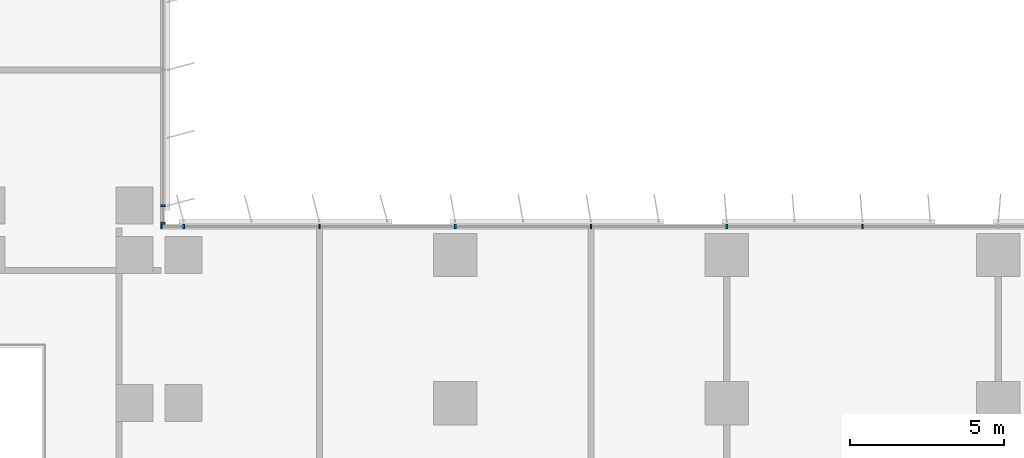
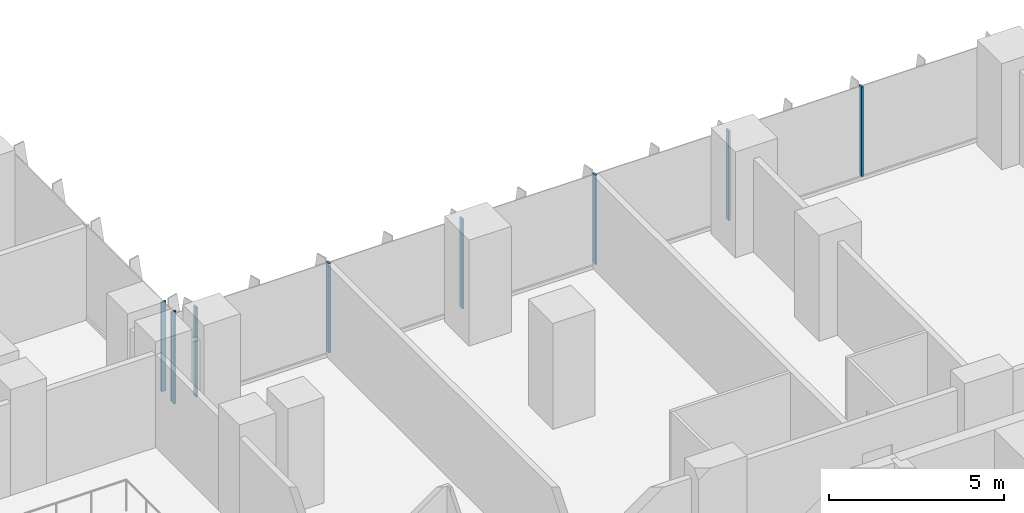
# One storey, part 2 of 24: 9 members, 2 elements without a shape of their own.
"""IFC4 building model written with IfcOpenShell, lengths in metres."""

import ifcopenshell
import ifcopenshell.guid

model = None  # the IFC model being written
_history = None  # IfcOwnerHistory: only IFC2X3 demands one
_inside = {}  # id of a spatial element -> (the spatial element, [elements in it])
_under = {}  # id of a project, library or spatial element -> (it, [spatial elements below it])
_declared = {}  # id of a project -> (the project, [libraries it declares])
_typed = {}  # id of a type object -> (the type object, [elements of that type])
_made_of = {}  # id of a material, layer set ... -> (it, [elements and type objects made of it])


def new_model(schema):
    """Start an empty IFC model of exactly this schema.

    Asked for "IFC4X3", IfcOpenShell would pick the latest addendum, in which some entities
    have other attributes; the version numbers below select the first issue.
    IFC2X3 requires an IfcOwnerHistory on every rooted entity: one is made here for all.
    """
    global model, _history
    if schema == "IFC4X3":
        model = ifcopenshell.file(schema_version=(4, 3, 0, 0))
    else:
        model = ifcopenshell.file(schema=schema)
    _inside.clear()
    _under.clear()
    _declared.clear()
    _typed.clear()
    _made_of.clear()
    _history = None
    if model.schema == "IFC2X3":
        org = make("IfcOrganization", Name="unknown")
        user = make(
            "IfcPersonAndOrganization",
            ThePerson=make("IfcPerson", FamilyName="unknown"),
            TheOrganization=org,
        )
        app = make(
            "IfcApplication",
            ApplicationDeveloper=org,
            Version="unknown",
            ApplicationFullName="unknown",
            ApplicationIdentifier="unknown",
        )
        _history = make(
            "IfcOwnerHistory",
            OwningUser=user,
            OwningApplication=app,
            ChangeAction="ADDED",
            CreationDate=0,
        )
    return model


def make(cls, **values):
    """One entity of the class cls with the attributes given. An attribute that is None is left unset."""
    return model.create_entity(
        cls, **{name: value for name, value in values.items() if value is not None}
    )


def rooted(cls, **values):
    """An entity with a GlobalId (a new one), such as an element, a storey or a relation."""
    return make(cls, GlobalId=ifcopenshell.guid.new(), OwnerHistory=_history, **values)


def si_unit(unit_type, name, prefix=None):
    """IfcSIUnit, for example si_unit("LENGTHUNIT", "METRE", prefix="MILLI")."""
    return make("IfcSIUnit", UnitType=unit_type, Prefix=prefix, Name=name)


def assignment(units):
    """IfcUnitAssignment: the units of a project."""
    return None if units is None else make("IfcUnitAssignment", Units=units)


def point(xyz):
    """IfcCartesianPoint."""
    return None if xyz is None else make("IfcCartesianPoint", Coordinates=xyz)


def direction(xyz):
    """IfcDirection."""
    return None if xyz is None else make("IfcDirection", DirectionRatios=xyz)


def frame(location, z_axis=None, x_axis=None):
    """IfcAxis2Placement3D, a coordinate frame: its origin and axes. An axis left out is left unset."""
    return make(
        "IfcAxis2Placement3D",
        Location=point(location),
        Axis=direction(z_axis),
        RefDirection=direction(x_axis),
    )


def frame_2d(location, x_axis=None):
    """IfcAxis2Placement2D, a coordinate frame in the plane: its origin and x axis."""
    return make(
        "IfcAxis2Placement2D", Location=point(location), RefDirection=direction(x_axis)
    )


def origin():
    """The frame at (0, 0, 0) with its axes left unset."""
    return frame((0.0, 0.0, 0.0))


def origin_2d():
    """The frame at (0, 0) in the plane with its x axis left unset."""
    return frame_2d((0.0, 0.0))


def place(relative_to, where):
    """IfcLocalPlacement: puts the frame where relative to a parent placement (None: the world)."""
    return make(
        "IfcLocalPlacement", PlacementRelTo=relative_to, RelativePlacement=where
    )


def context(
    kind, dimensions, precision=None, world=None, true_north=None, identifier=None
):
    """IfcGeometricRepresentationContext, for example the 3D "Model" context."""
    return make(
        "IfcGeometricRepresentationContext",
        ContextIdentifier=identifier,
        ContextType=kind,
        CoordinateSpaceDimension=dimensions,
        Precision=precision,
        WorldCoordinateSystem=world,
        TrueNorth=true_north,
    )


def subcontext(parent, identifier, kind, view, scale=None):
    """IfcGeometricRepresentationSubContext, for example "Body" below "Model"."""
    return make(
        "IfcGeometricRepresentationSubContext",
        ContextIdentifier=identifier,
        ContextType=kind,
        ParentContext=parent,
        TargetScale=scale,
        TargetView=view,
    )


def project(units=None, contexts=None):
    """IfcProject with its units and contexts."""
    return rooted(
        "IfcProject",
        Name="project",
        RepresentationContexts=contexts,
        UnitsInContext=assignment(units),
    )


def spatial(cls, under=None, at=None, **own):
    """A site, building, storey or space (cls), placed at a placement, below another one or the project."""
    s = rooted(cls, ObjectPlacement=at, **own)
    if under is not None:
        _under.setdefault(under.id(), (under, []))[1].append(s)
    return s


def profile(cls, at=None, kind="AREA", **sizes):
    """A parametric profile (cls). Its sizes go by their IFC names, for example OverallWidth=200.0."""
    return make(cls, ProfileType=kind, Position=at, **sizes)


def rectangle(**sizes):
    """IfcRectangleProfileDef."""
    return profile("IfcRectangleProfileDef", **sizes)


def extrude(swept, where, along, depth):
    """IfcExtrudedAreaSolid: the profile swept, set in the frame where, extruded along a direction by depth."""
    return make(
        "IfcExtrudedAreaSolid",
        SweptArea=swept,
        Position=where,
        ExtrudedDirection=direction(along),
        Depth=depth,
    )


def shape(context_of_items, identifier, shape_type, items):
    """IfcShapeRepresentation: the items that make up one representation, for example the "Body"."""
    return make(
        "IfcShapeRepresentation",
        ContextOfItems=context_of_items,
        RepresentationIdentifier=identifier,
        RepresentationType=shape_type,
        Items=items,
    )


def source(mapping_origin, context_of_items, identifier, shape_type, items):
    """IfcRepresentationMap: a shape defined once, which mapped items show again and again."""
    return make(
        "IfcRepresentationMap",
        MappingOrigin=mapping_origin,
        MappedRepresentation=shape(context_of_items, identifier, shape_type, items),
    )


def transform(
    local_origin,
    x_axis=None,
    y_axis=None,
    z_axis=None,
    scale=None,
    scale2=None,
    scale3=None,
    uniform=True,
):
    """IfcCartesianTransformationOperator3D, or its non-uniform kind. x_axis, y_axis, z_axis: its Axis1, 2, 3."""
    if uniform:
        return make(
            "IfcCartesianTransformationOperator3D",
            Axis1=direction(x_axis),
            Axis2=direction(y_axis),
            LocalOrigin=point(local_origin),
            Scale=scale,
            Axis3=direction(z_axis),
        )
    return make(
        "IfcCartesianTransformationOperator3DnonUniform",
        Axis1=direction(x_axis),
        Axis2=direction(y_axis),
        LocalOrigin=point(local_origin),
        Scale=scale,
        Axis3=direction(z_axis),
        Scale2=scale2,
        Scale3=scale3,
    )


def mapped(mapping_source, mapping_target):
    """IfcMappedItem: shows the shape of a source again, moved by a transform."""
    return make(
        "IfcMappedItem", MappingSource=mapping_source, MappingTarget=mapping_target
    )


def material(Name=None, Category=None):
    """IfcMaterial."""
    return make("IfcMaterial", Name=Name, Category=Category)


def material_profile(
    of_material, cross_section, Name=None, Category=None, Priority=None
):
    """IfcMaterialProfile: a cross section and its material."""
    return make(
        "IfcMaterialProfile",
        Name=Name,
        Material=of_material,
        Profile=cross_section,
        Priority=Priority,
        Category=Category,
    )


def profile_set(profiles, Name=None, composite=None):
    """IfcMaterialProfileSet."""
    return make(
        "IfcMaterialProfileSet",
        Name=Name,
        MaterialProfiles=profiles,
        CompositeProfile=composite,
    )


def made_of(thing, what):
    """Note that an element or type object is made of a material, layer set ...; save() writes the relation."""
    if what is not None:
        _made_of.setdefault(what.id(), (what, []))[1].append(thing)
    return thing


def type_object(cls, material=None, **own):
    """A type object (cls), such as IfcWallType, which elements share."""
    return made_of(rooted(cls, **own), material)


def element(
    cls,
    number,
    at=None,
    inside=None,
    cuts=None,
    type_object=None,
    material=None,
    context=None,
    identifier="Body",
    shape_type=None,
    held_by="IfcProductDefinitionShape",
    body=None,
    shapes=None,
    **own,
):
    """One element of the class cls, such as IfcWall. Its Tag is "e" and its number.

    at: its placement. inside: the storey or other place that contains it. cuts: it is an
    opening in that element (IfcRelVoidsElement). A single representation is given by context,
    identifier, shape_type and body (its items); several are given by shapes. held_by: the class
    of the entity that holds the representations. save() writes the other relations.
    """
    e = rooted(cls, Tag="e%d" % number, ObjectPlacement=at, **own)
    if body is not None:
        shapes = [shape(context, identifier, shape_type, body)]
    if shapes is not None:
        e.Representation = make(held_by, Representations=shapes)
    if inside is not None:
        _inside.setdefault(inside.id(), (inside, []))[1].append(e)
    if cuts is not None:
        rooted(
            "IfcRelVoidsElement", RelatingBuildingElement=cuts, RelatedOpeningElement=e
        )
    if type_object is not None:
        _typed.setdefault(type_object.id(), (type_object, []))[1].append(e)
    return made_of(e, material)


def aggregate(whole, parts):
    """IfcRelAggregates: a whole, such as a stair, and the parts it consists of."""
    return rooted("IfcRelAggregates", RelatingObject=whole, RelatedObjects=parts)


def save(model, path):
    """Write the relations noted so far, then the file.

    IfcRelAggregates (storeys below a building ...), IfcRelContainedInSpatialStructure (elements
    in a storey), IfcRelDefinesByType, IfcRelAssociatesMaterial and IfcRelDeclares: one each for
    every whole, place, type object, material and project.
    """
    for whole, parts in _under.values():
        aggregate(whole, parts)
    for where, things in _inside.values():
        rooted(
            "IfcRelContainedInSpatialStructure",
            RelatedElements=things,
            RelatingStructure=where,
        )
    for kind, things in _typed.values():
        rooted("IfcRelDefinesByType", RelatedObjects=things, RelatingType=kind)
    for what, things in _made_of.values():
        rooted("IfcRelAssociatesMaterial", RelatedObjects=things, RelatingMaterial=what)
    for by, libraries in _declared.values():
        rooted("IfcRelDeclares", RelatingContext=by, RelatedDefinitions=libraries)
    model.write(path)


model = new_model("IFC4")

# Units and contexts
model_context = context("Model", 3, precision=1e-05, world=origin(), true_north=direction((0.0, 1.0)))
body_context = subcontext(model_context, "Body", "Model", "MODEL_VIEW")
ifc_project = project(units=[si_unit("LENGTHUNIT", "METRE"), si_unit("AREAUNIT", "SQUARE_METRE"), si_unit("VOLUMEUNIT", "CUBIC_METRE"), si_unit("PLANEANGLEUNIT", "RADIAN"), si_unit("MASSUNIT", "GRAM", prefix="KILO")], contexts=[model_context])

# Site, building, storey
site_placement = place(None, origin())
site = spatial("IfcSite", under=ifc_project, at=site_placement, CompositionType="ELEMENT")
building_placement = place(site_placement, origin())
building = spatial("IfcBuilding", under=site, at=building_placement, Name="Kemantara Hotel Tower", CompositionType="ELEMENT")
storey_placement = place(building_placement, frame((0.0, 0.0, 79.699951171875)))
storey = spatial("IfcBuildingStorey", under=building, at=storey_placement, Name="L18", CompositionType="ELEMENT", Elevation=79.699951171875)

# Curtain wall, members
ifc_material_1 = material(Name="Low-E tinted double insulated glass 36 mm", Category="glass")
curtain_wall_type = type_object("IfcCurtainWallType", Name="TOWER CURTAIN WALL, FRONT FACES", PredefinedType="USERDEFINED", material=ifc_material_1)
curtain_wall_1_placement = place(storey_placement, origin())
curtain_wall_1 = element("IfcCurtainWall", 1, at=curtain_wall_1_placement, inside=storey, type_object=curtain_wall_type, Name="CW4 L18 T1-R07-1", ObjectType="TOWER CURTAIN WALL, FRONT FACES", PredefinedType="USERDEFINED")
ifc_material_2 = material(Name="Aluminium 6063-T6 bronze anodised", Category="aluminium")
ifc_material_profile = material_profile(ifc_material_2, rectangle(XDim=0.14990234375, YDim=0.06005859375, at=origin_2d()), Name="TOWER CURTAIN WALL, FRONT FACES MULLION")
ifc_profile_set = profile_set([ifc_material_profile], Name="Aluminium 6063-T6 bronze anodised")
member_type = type_object("IfcMemberType", Name="TOWER CURTAIN WALL, FRONT FACES MULLION", PredefinedType="MULLION", material=ifc_profile_set)
shared_shape = source(origin(), body_context, "Body", "SweptSolid", [
    extrude(rectangle(XDim=0.14990234375, YDim=0.06005859375, at=origin_2d()), origin(), (0.0, 0.0, 1.0), 3.1298828125),
])
member_1_placement = place(storey_placement, frame((49.39990234375, 26.72509765625, 0.1201171875), z_axis=(0.0, 0.0, 1.0), x_axis=(0.0, -1.0, 0.0)))
member_1 = element("IfcMember", 2, at=member_1_placement, type_object=member_type, Name="CW4 mullion T1-R07-1.8", PredefinedType="MULLION", context=body_context, shape_type="MappedRepresentation", body=[
    mapped(shared_shape, transform((0.0, 0.0, 0.0))),
])
member_2_placement = place(storey_placement, frame((45.0, 26.72509765625, 0.1201171875), z_axis=(0.0, 0.0, 1.0), x_axis=(0.0, -1.0, 0.0)))
member_2 = element("IfcMember", 3, at=member_2_placement, type_object=member_type, Name="CW4 mullion T1-R07-1.9", PredefinedType="MULLION", context=body_context, shape_type="MappedRepresentation", body=[
    mapped(shared_shape, transform((0.0, 0.0, 0.0))),
])
member_3_placement = place(storey_placement, frame((40.60009765625, 26.72509765625, 0.1201171875), z_axis=(0.0, 0.0, 1.0), x_axis=(0.0, -1.0, 0.0)))
member_3 = element("IfcMember", 4, at=member_3_placement, type_object=member_type, Name="CW4 mullion T1-R07-1.10", PredefinedType="MULLION", context=body_context, shape_type="MappedRepresentation", body=[
    mapped(shared_shape, transform((0.0, 0.0, 0.0))),
])
member_4_placement = place(storey_placement, frame((36.199951171875, 26.72509765625, 0.1201171875), z_axis=(0.0, 0.0, 1.0), x_axis=(0.0, -1.0, 0.0)))
member_4 = element("IfcMember", 5, at=member_4_placement, type_object=member_type, Name="CW4 mullion T1-R07-1.11", PredefinedType="MULLION", context=body_context, shape_type="MappedRepresentation", body=[
    mapped(shared_shape, transform((0.0, 0.0, 0.0))),
])
member_5_placement = place(storey_placement, frame((31.800048828125, 26.72509765625, 0.1201171875), z_axis=(0.0, 0.0, 1.0), x_axis=(0.0, -1.0, 0.0)))
member_5 = element("IfcMember", 6, at=member_5_placement, type_object=member_type, Name="CW4 mullion T1-R07-1.12", PredefinedType="MULLION", context=body_context, shape_type="MappedRepresentation", body=[
    mapped(shared_shape, transform((0.0, 0.0, 0.0))),
])
member_6_placement = place(storey_placement, frame((27.39990234375, 26.72509765625, 0.1201171875), z_axis=(0.0, 0.0, 1.0), x_axis=(0.0, -1.0, 0.0)))
member_6 = element("IfcMember", 7, at=member_6_placement, type_object=member_type, Name="CW4 mullion T1-R07-1.13", PredefinedType="MULLION", context=body_context, shape_type="MappedRepresentation", body=[
    mapped(shared_shape, transform((0.0, 0.0, 0.0))),
])
member_7_placement = place(storey_placement, frame((26.679931640625, 26.72509765625, 0.1201171875), z_axis=(0.0, 0.0, 1.0), x_axis=(0.0, -1.0, 0.0)))
member_7 = element("IfcMember", 8, at=member_7_placement, type_object=member_type, Name="CW4 mullion T1-R07-1.14", PredefinedType="MULLION", context=body_context, shape_type="MappedRepresentation", body=[
    mapped(shared_shape, transform((0.0, 0.0, 0.0))),
])
aggregate(curtain_wall_1, [member_1, member_2, member_3, member_4, member_5, member_6, member_7])

curtain_wall_2_placement = place(storey_placement, origin())
curtain_wall_2 = element("IfcCurtainWall", 9, at=curtain_wall_2_placement, inside=storey, type_object=curtain_wall_type, Name="CW4 L18 T1-R08-1", ObjectType="TOWER CURTAIN WALL, FRONT FACES", PredefinedType="USERDEFINED")
member_8_placement = place(storey_placement, frame((26.72509765625, 26.830078125, 0.1201171875), z_axis=(0.0, 0.0, 1.0), x_axis=(-1.0, 0.0, 0.0)))
member_8 = element("IfcMember", 10, at=member_8_placement, type_object=member_type, Name="CW4 mullion T1-R08-1.1", PredefinedType="MULLION", context=body_context, shape_type="MappedRepresentation", body=[
    mapped(shared_shape, transform((0.0, 0.0, 0.0))),
])
member_9_placement = place(storey_placement, frame((26.72509765625, 27.39990234375, 0.1201171875), z_axis=(0.0, 0.0, 1.0), x_axis=(-1.0, 0.0, 0.0)))
member_9 = element("IfcMember", 11, at=member_9_placement, type_object=member_type, Name="CW4 mullion T1-R08-1.2", PredefinedType="MULLION", context=body_context, shape_type="MappedRepresentation", body=[
    mapped(shared_shape, transform((0.0, 0.0, 0.0))),
])
aggregate(curtain_wall_2, [member_8, member_9])

save(model, "model.ifc")
